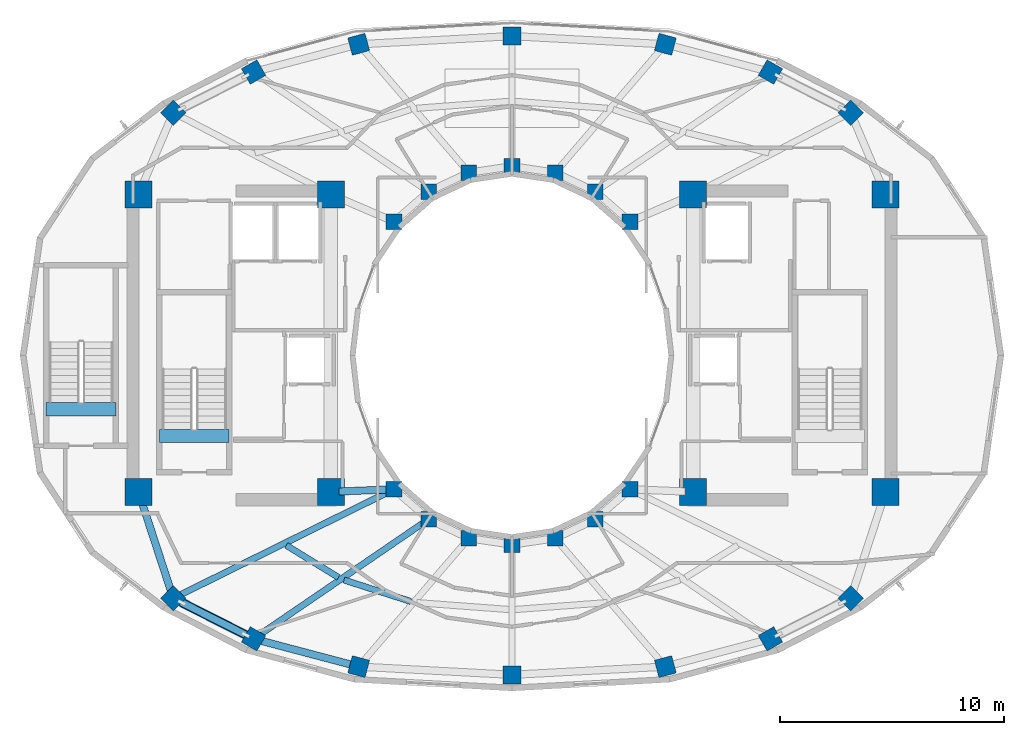
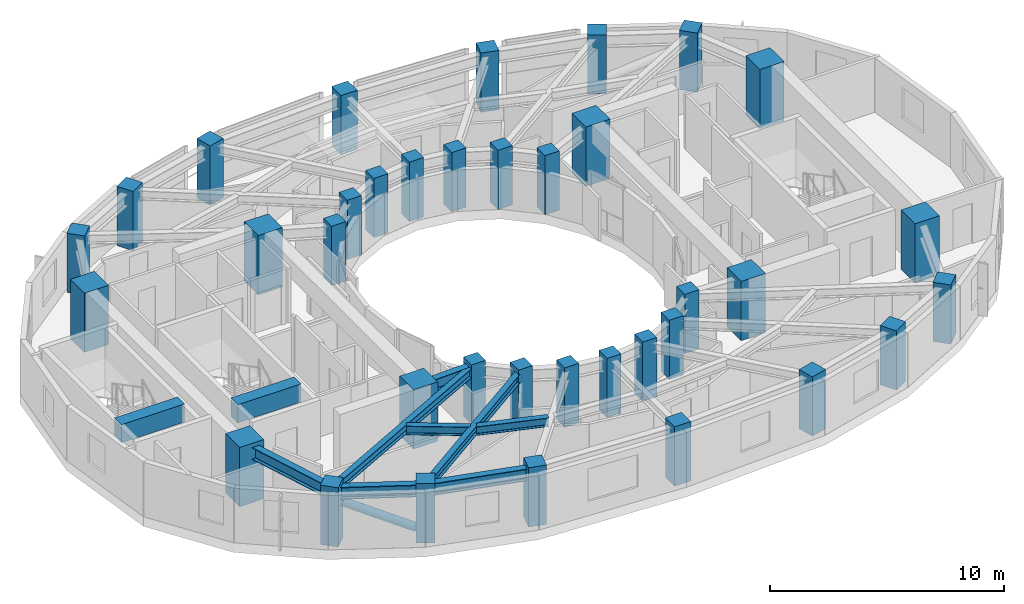
# One storey, part 1 of 19: 36 columns, 10 beams, 1 member.
"""IFC4 building model written with IfcOpenShell, lengths in metres."""

from ifc_helpers import new_model, si_unit, direction, frame, origin, origin_2d, place, context, subcontext, project, spatial, rectangle, hollow_circle, i_section, extrude, material, material_profile, profile_set, type_object, element, save


model = new_model("IFC4")

# Units and contexts
model_context = context("Model", 3, precision=1e-05, world=origin(), true_north=direction((0.0, 1.0)))
body_context = subcontext(model_context, "Body", "Model", "MODEL_VIEW")
ifc_project = project(units=[si_unit("LENGTHUNIT", "METRE"), si_unit("AREAUNIT", "SQUARE_METRE"), si_unit("VOLUMEUNIT", "CUBIC_METRE"), si_unit("PLANEANGLEUNIT", "RADIAN"), si_unit("MASSUNIT", "GRAM", prefix="KILO")], contexts=[model_context])

# Site, building, storey
site_placement = place(None, origin())
site = spatial("IfcSite", under=ifc_project, at=site_placement, CompositionType="ELEMENT")
building_placement = place(site_placement, origin())
building = spatial("IfcBuilding", under=site, at=building_placement, Name="Solvane Sanctuary Tower", CompositionType="ELEMENT")
storey_placement = place(building_placement, frame((0.0, 0.0, 201.60009765625)))
storey = spatial("IfcBuildingStorey", under=building, at=storey_placement, Name="L61", CompositionType="ELEMENT", Elevation=201.60009765625)

# Columns
ifc_material_1 = material(Name="Concrete C50/60", Category="concrete")
ifc_material_profile_1 = material_profile(ifc_material_1, rectangle(XDim=0.699951171875, YDim=0.699951171875, at=origin_2d()), Name="RC700X700")
ifc_profile_set_1 = profile_set([ifc_material_profile_1], Name="Concrete C50/60")
column_type_1 = type_object("IfcColumnType", Name="Column C-RING-Z4 RC700X700", PredefinedType="COLUMN", material=ifc_profile_set_1)
for number, where, z_axis, x_axis, name in (
    (1, (37.27490234375, 28.982177734375, 0.0), (0.0, 0.0, 1.0), (1.0, 0.0, 0.0), "L61 Inner Light-Well Ring Column IC01"),
    (2, (35.72998046875, 30.32666015625, 0.0), (0.0, 0.0, 1.0), (1.0, 0.0, 0.0), "L61 Inner Light-Well Ring Column IC02"),
    (3, (33.930908203125, 31.171630859375, 0.0), (0.0, 0.0, 1.0), (1.0, 0.0, 0.0), "L61 Inner Light-Well Ring Column IC03"),
    (4, (32.0, 31.4599609375, 0.0), (0.0, 0.0, 1.0), (1.0, 0.0, 0.0), "L61 Inner Light-Well Ring Column IC04"),
    (5, (30.069091796875, 31.171630859375, 0.0), (0.0, 0.0, 1.0), (1.0, 0.0, 0.0), "L61 Inner Light-Well Ring Column IC05"),
    (6, (28.27001953125, 30.32666015625, 0.0), (0.0, 0.0, 1.0), (1.0, 0.0, 0.0), "L61 Inner Light-Well Ring Column IC06"),
    (7, (26.72509765625, 28.982177734375, 0.0), (0.0, 0.0, 1.0), (1.0, 0.0, 0.0), "L61 Inner Light-Well Ring Column IC07"),
    (8, (26.72509765625, 17.017822265625, 0.0), (0.0, 0.0, 1.0), (1.0, 0.0, 0.0), "L61 Inner Light-Well Ring Column IC08"),
    (9, (28.27001953125, 15.67333984375, 0.0), (0.0, 0.0, 1.0), (1.0, 0.0, 0.0), "L61 Inner Light-Well Ring Column IC09"),
    (10, (30.069091796875, 14.828369140625, 0.0), (0.0, 0.0, 1.0), (1.0, 0.0, 0.0), "L61 Inner Light-Well Ring Column IC10"),
    (11, (32.0, 14.5400390625, 0.0), (0.0, 0.0, 1.0), (1.0, 0.0, 0.0), "L61 Inner Light-Well Ring Column IC11"),
    (12, (33.930908203125, 14.828369140625, 0.0), (0.0, 0.0, 1.0), (1.0, 0.0, 0.0), "L61 Inner Light-Well Ring Column IC12"),
    (13, (35.72998046875, 15.67333984375, 0.0), (0.0, 0.0, 1.0), (1.0, 0.0, 0.0), "L61 Inner Light-Well Ring Column IC13"),
    (14, (37.27490234375, 17.017822265625, 0.0), (0.0, 0.0, 1.0), (1.0, 0.0, 0.0), "L61 Inner Light-Well Ring Column IC14"),
):
    element("IfcColumn", number, at=place(storey_placement, frame(where, z_axis=z_axis, x_axis=x_axis)), inside=storey, type_object=column_type_1, Name=name, PredefinedType="COLUMN", context=body_context, shape_type="SweptSolid", body=[
        extrude(rectangle(XDim=0.699951171875, YDim=0.699951171875, at=origin_2d()), origin(), (0.0, 0.0, 1.0), 3.099853515625),
    ])
ifc_material_2 = material(Name="Concrete C70/85", Category="concrete")
ifc_material_profile_2 = material_profile(ifc_material_2, rectangle(XDim=1.199951171875, YDim=1.199951171875, at=origin_2d()), Name="RC1200X1200")
ifc_profile_set_2 = profile_set([ifc_material_profile_2], Name="Concrete C70/85")
column_type_2 = type_object("IfcColumnType", Name="Column C-TUBE-Z1 RC1200X1200", PredefinedType="COLUMN", material=ifc_profile_set_2)
for number, where, z_axis, x_axis, name in (
    (15, (15.300048828125, 16.89990234375, 0.0), (0.0, 0.0, 1.0), (1.0, 0.0, 0.0), "L61 Core Corner Column CW1"),
    (16, (23.89990234375, 16.89990234375, 0.0), (0.0, 0.0, 1.0), (1.0, 0.0, 0.0), "L61 Core Corner Column CW2"),
    (17, (23.89990234375, 30.199951171875, 0.0), (0.0, 0.0, 1.0), (1.0, 0.0, 0.0), "L61 Core Corner Column CW3"),
    (18, (15.300048828125, 30.199951171875, 0.0), (0.0, 0.0, 1.0), (1.0, 0.0, 0.0), "L61 Core Corner Column CW4"),
    (19, (40.10009765625, 16.89990234375, 0.0), (0.0, 0.0, 1.0), (1.0, 0.0, 0.0), "L61 Core Corner Column CE1"),
    (20, (48.699951171875, 16.89990234375, 0.0), (0.0, 0.0, 1.0), (1.0, 0.0, 0.0), "L61 Core Corner Column CE2"),
    (21, (48.699951171875, 30.199951171875, 0.0), (0.0, 0.0, 1.0), (1.0, 0.0, 0.0), "L61 Core Corner Column CE3"),
    (22, (40.10009765625, 30.199951171875, 0.0), (0.0, 0.0, 1.0), (1.0, 0.0, 0.0), "L61 Core Corner Column CE4"),
):
    element("IfcColumn", number, at=place(storey_placement, frame(where, z_axis=z_axis, x_axis=x_axis)), inside=storey, type_object=column_type_2, Name=name, PredefinedType="COLUMN", context=body_context, shape_type="SweptSolid", body=[
        extrude(rectangle(XDim=1.199951171875, YDim=1.199951171875, at=origin_2d()), origin(), (0.0, 0.0, 1.0), 3.099853515625),
    ])
ifc_material_profile_3 = material_profile(ifc_material_1, rectangle(XDim=0.800048828125, YDim=0.800048828125, at=origin_2d()), Name="RC800X800")
ifc_profile_set_3 = profile_set([ifc_material_profile_3], Name="Concrete C50/60")
column_type_3 = type_object("IfcColumnType", Name="Column C-TUBE-Z4 RC800X800", PredefinedType="COLUMN", material=ifc_profile_set_3)
for number, where, z_axis, x_axis, name in (
    (23, (47.14501953125, 33.85693359375, 0.0), (0.0, 0.0, 1.0), (0.707106781187, 0.707106781187, 0.0), "L61 Perimeter Tube Column TC01"),
    (24, (43.55517578125, 35.672607421875, 0.0), (0.0, 0.0, 1.0), (0.5, 0.866025403784, 0.0), "L61 Perimeter Tube Column TC02"),
    (25, (38.856201171875, 36.914306640625, 0.0), (0.0, 0.0, 1.0), (0.258819045103, 0.965925826289, 0.0), "L61 Perimeter Tube Column TC03"),
    (26, (32.0, 37.280029296875, 0.0), (0.0, 0.0, 1.0), (0.0, 1.0, 0.0), "L61 Perimeter Tube Column TC04"),
    (27, (25.143798828125, 36.914306640625, 0.0), (0.0, 0.0, 1.0), (-0.258819045103, 0.965925826289, 0.0), "L61 Perimeter Tube Column TC05"),
    (28, (20.44482421875, 35.672607421875, 0.0), (0.0, 0.0, 1.0), (-0.5, 0.866025403784, 0.0), "L61 Perimeter Tube Column TC06"),
    (29, (16.85498046875, 33.85693359375, 0.0), (0.0, 0.0, 1.0), (-0.707106781187, 0.707106781187, 0.0), "L61 Perimeter Tube Column TC07"),
    (30, (16.85498046875, 12.14306640625, 0.0), (0.0, 0.0, 1.0), (-0.707106781187, -0.707106781187, 0.0), "L61 Perimeter Tube Column TC08"),
    (31, (20.44482421875, 10.327392578125, 0.0), (0.0, 0.0, 1.0), (-0.5, -0.866025403784, 0.0), "L61 Perimeter Tube Column TC09"),
    (32, (25.143798828125, 9.085693359375, 0.0), (0.0, 0.0, 1.0), (-0.258819045103, -0.965925826289, 0.0), "L61 Perimeter Tube Column TC10"),
    (33, (32.0, 8.719970703125, 0.0), (0.0, 0.0, 1.0), (0.0, -1.0, 0.0), "L61 Perimeter Tube Column TC11"),
    (34, (38.856201171875, 9.085693359375, 0.0), (0.0, 0.0, 1.0), (0.258819045103, -0.965925826289, 0.0), "L61 Perimeter Tube Column TC12"),
    (35, (43.55517578125, 10.327392578125, 0.0), (0.0, 0.0, 1.0), (0.5, -0.866025403784, 0.0), "L61 Perimeter Tube Column TC13"),
    (36, (47.14501953125, 12.14306640625, 0.0), (0.0, 0.0, 1.0), (0.707106781187, -0.707106781187, 0.0), "L61 Perimeter Tube Column TC14"),
):
    element("IfcColumn", number, at=place(storey_placement, frame(where, z_axis=z_axis, x_axis=x_axis)), inside=storey, type_object=column_type_3, Name=name, PredefinedType="COLUMN", context=body_context, shape_type="SweptSolid", body=[
        extrude(rectangle(XDim=0.800048828125, YDim=0.800048828125, at=origin_2d()), origin(), (0.0, 0.0, 1.0), 3.099853515625),
    ])

# Beams
ifc_material_profile_4 = material_profile(ifc_material_2, rectangle(XDim=0.60009765625, YDim=0.949951171875, at=origin_2d()), Name="RC600X950")
ifc_profile_set_4 = profile_set([ifc_material_profile_4], Name="Concrete C70/85")
beam_type_1 = type_object("IfcBeamType", Name="Beam B-COUPLE RC600X950", PredefinedType="LINTEL", material=ifc_profile_set_4)
for number, where, z_axis, x_axis, name in (
    (37, (16.22998046875, 19.399169921875, 2.625), (1.0, 0.0, 0.0), (0.0, 1.0, 0.0), "L61 ST-1 Stair Floor Landing Trimmer"),
    (38, (11.169921875, 20.59912109375, 2.625), (1.0, 0.0, 0.0), (0.0, 1.0, 0.0), "L61 ST-3 Stair Floor Landing Trimmer"),
):
    element("IfcBeam", number, at=place(storey_placement, frame(where, z_axis=z_axis, x_axis=x_axis)), inside=storey, type_object=beam_type_1, Name=name, PredefinedType="LINTEL", context=body_context, shape_type="SweptSolid", body=[
        extrude(rectangle(XDim=0.60009765625, YDim=0.949951171875, at=origin_2d()), origin(), (0.0, 0.0, 1.0), 3.1201171875),
    ])
ifc_material_3 = material(Name="Steel ASTM A992 Grade 50", Category="steel")
ifc_material_profile_5 = material_profile(ifc_material_3, i_section(OverallWidth=0.282958984375, OverallDepth=0.471923828125, WebThickness=0.013671875, FlangeThickness=0.022216796875, FilletRadius=0.013916015625, at=origin_2d()), Name="W18X97")
ifc_profile_set_5 = profile_set([ifc_material_profile_5], Name="Steel ASTM A992 Grade 50")
beam_type_2 = type_object("IfcBeamType", Name="Beam B-RAD-Z4 W18X97", PredefinedType="JOIST", material=ifc_profile_set_5)
beam_1_placement = place(storey_placement, frame((26.47412109375, 16.893798828125, 2.641845703125), z_axis=(-0.896608256549, -0.442824608946, 0.0), x_axis=(0.442824608946, -0.896608256549, 0.0)))
element("IfcBeam", 39, at=beam_1_placement, inside=storey, type_object=beam_type_2, Name="L61 Radial Composite Floor Beam 08", PredefinedType="JOIST", context=body_context, shape_type="SweptSolid", body=[
    extrude(i_section(OverallWidth=0.282958984375, OverallDepth=0.471923828125, WebThickness=0.013671875, FlangeThickness=0.022216796875, FilletRadius=0.013916015625, at=origin_2d()), origin(), (0.0, 0.0, 1.0), 10.4482421875),
])
beam_2_placement = place(storey_placement, frame((28.038818359375, 15.515380859375, 2.641845703125), z_axis=(-0.825707980649, -0.564097802418, 0.0), x_axis=(0.564097802418, -0.825707980649, 0.0)))
element("IfcBeam", 40, at=beam_2_placement, inside=storey, type_object=beam_type_2, Name="L61 Radial Composite Floor Beam 09", PredefinedType="JOIST", context=body_context, shape_type="SweptSolid", body=[
    extrude(i_section(OverallWidth=0.282958984375, OverallDepth=0.471923828125, WebThickness=0.013671875, FlangeThickness=0.022216796875, FilletRadius=0.013916015625, at=origin_2d()), origin(), (0.0, 0.0, 1.0), 8.9169921875),
])
ifc_material_profile_6 = material_profile(ifc_material_3, i_section(OverallWidth=0.324951171875, OverallDepth=0.615966796875, WebThickness=0.013916015625, FlangeThickness=0.021484375, FilletRadius=0.01611328125, at=origin_2d()), Name="W24X117")
ifc_profile_set_6 = profile_set([ifc_material_profile_6], Name="Steel ASTM A992 Grade 50")
beam_type_3 = type_object("IfcBeamType", Name="Beam B-RING-IN2 W24X117", PredefinedType="BEAM", material=ifc_profile_set_6)
beam_3_placement = place(storey_placement, frame((24.259765625, 16.9150390625, 2.56982421875), z_axis=(0.999129127803, 0.041725124022, 0.0), x_axis=(-0.041725124022, 0.999129127803, 0.0)))
element("IfcBeam", 41, at=beam_3_placement, inside=storey, type_object=beam_type_3, Name="L61 Inner Light-Well Ring Beam CW2-IC08", PredefinedType="BEAM", context=body_context, shape_type="SweptSolid", body=[
    extrude(i_section(OverallWidth=0.324951171875, OverallDepth=0.615966796875, WebThickness=0.013916015625, FlangeThickness=0.021484375, FilletRadius=0.01611328125, at=origin_2d()), origin(), (0.0, 0.0, 1.0), 2.1474609375),
])
ifc_material_profile_7 = material_profile(ifc_material_3, i_section(OverallWidth=0.280029296875, OverallDepth=0.462890625, WebThickness=0.0107421875, FlangeThickness=0.017333984375, FilletRadius=0.013916015625, at=origin_2d()), Name="W18X76")
ifc_profile_set_7 = profile_set([ifc_material_profile_7], Name="Steel ASTM A992 Grade 50")
beam_type_4 = type_object("IfcBeamType", Name="Beam B-SEC-JOIST W18X76", PredefinedType="JOIST", material=ifc_profile_set_7)
beam_4_placement = place(storey_placement, frame((21.90625, 14.509033203125, 2.646484375), z_axis=(0.851639971856, -0.524127234875, 0.0), x_axis=(0.524127234875, 0.851639971856, 0.0)))
element("IfcBeam", 42, at=beam_4_placement, inside=storey, type_object=beam_type_4, Name="L61 Secondary Circumferential Joist 08-09", PredefinedType="JOIST", context=body_context, shape_type="SweptSolid", body=[
    extrude(i_section(OverallWidth=0.280029296875, OverallDepth=0.462890625, WebThickness=0.0107421875, FlangeThickness=0.017333984375, FilletRadius=0.013916015625, at=origin_2d()), origin(), (0.0, 0.0, 1.0), 2.74169921875),
])
beam_5_placement = place(storey_placement, frame((24.487548828125, 12.958740234375, 2.646484375), z_axis=(0.9521021652, -0.305780095856, 0.0), x_axis=(0.305780095856, 0.9521021652, 0.0)))
element("IfcBeam", 43, at=beam_5_placement, inside=storey, type_object=beam_type_4, Name="L61 Secondary Circumferential Joist 09-10", PredefinedType="JOIST", context=body_context, shape_type="SweptSolid", body=[
    extrude(i_section(OverallWidth=0.280029296875, OverallDepth=0.462890625, WebThickness=0.0107421875, FlangeThickness=0.017333984375, FilletRadius=0.013916015625, at=origin_2d()), origin(), (0.0, 0.0, 1.0), 3.139404296875),
])
ifc_material_profile_8 = material_profile(ifc_material_3, i_section(OverallWidth=0.327880859375, OverallDepth=0.6279296875, WebThickness=0.0166015625, FlangeThickness=0.027587890625, FilletRadius=0.01611328125, at=origin_2d()), Name="W24X146")
ifc_profile_set_8 = profile_set([ifc_material_profile_8], Name="Steel ASTM A992 Grade 50")
beam_type_5 = type_object("IfcBeamType", Name="Beam B-SPAND-Z3 W24X146", PredefinedType="SPANDREL", material=ifc_profile_set_8)
beam_6_placement = place(storey_placement, frame((15.386962890625, 16.6337890625, 2.56396484375), z_axis=(0.310735038966, -0.950496573144, 0.0), x_axis=(0.950496573144, 0.310735038966, 0.0)))
element("IfcBeam", 44, at=beam_6_placement, inside=storey, type_object=beam_type_5, Name="L61 Perimeter Spandrel Beam CW1-TC08", PredefinedType="SPANDREL", context=body_context, shape_type="SweptSolid", body=[
    extrude(i_section(OverallWidth=0.327880859375, OverallDepth=0.6279296875, WebThickness=0.0166015625, FlangeThickness=0.027587890625, FilletRadius=0.01611328125, at=origin_2d()), origin(), (0.0, 0.0, 1.0), 4.444580078125),
])
beam_7_placement = place(storey_placement, frame((17.10498046875, 12.0166015625, 2.56396484375), z_axis=(0.892344822899, -0.451354314308, 0.0), x_axis=(0.451354314308, 0.892344822899, 0.0)))
element("IfcBeam", 45, at=beam_7_placement, inside=storey, type_object=beam_type_5, Name="L61 Perimeter Spandrel Beam TC08-TC09", PredefinedType="SPANDREL", context=body_context, shape_type="SweptSolid", body=[
    extrude(i_section(OverallWidth=0.327880859375, OverallDepth=0.6279296875, WebThickness=0.0166015625, FlangeThickness=0.027587890625, FilletRadius=0.01611328125, at=origin_2d()), origin(), (0.0, 0.0, 1.0), 3.462890625),
])
beam_8_placement = place(storey_placement, frame((20.715576171875, 10.255859375, 2.56396484375), z_axis=(0.966816659466, -0.255471225343, 0.0), x_axis=(0.255471225343, 0.966816659466, 0.0)))
element("IfcBeam", 46, at=beam_8_placement, inside=storey, type_object=beam_type_5, Name="L61 Perimeter Spandrel Beam TC09-TC10", PredefinedType="SPANDREL", context=body_context, shape_type="SweptSolid", body=[
    extrude(i_section(OverallWidth=0.327880859375, OverallDepth=0.6279296875, WebThickness=0.0166015625, FlangeThickness=0.027587890625, FilletRadius=0.01611328125, at=origin_2d()), origin(), (0.0, 0.0, 1.0), 4.300537109375),
])

# Member
ifc_material_profile_9 = material_profile(ifc_material_3, hollow_circle(Radius=0.202880859375, WallThickness=0.012451171875, at=origin_2d()), Name="CHS406X12.5")
ifc_profile_set_9 = profile_set([ifc_material_profile_9], Name="Steel ASTM A992 Grade 50")
member_type = type_object("IfcMemberType", Name="Member M-TUBE-Z3 CHS406X12.5", PredefinedType="BRACE", material=ifc_profile_set_9)
member_placement = place(storey_placement, frame((20.079345703125, 10.51220703125, 0.5703125), z_axis=(-0.809168494131, 0.409313786141, 0.4215549461), x_axis=(-0.451381225256, -0.892331210642, 0.0)))
element("IfcMember", 47, at=member_placement, inside=storey, type_object=member_type, Name="L61 Perimeter Braced-Tube Diagonal SW", PredefinedType="BRACE", context=body_context, shape_type="SweptSolid", body=[
    extrude(hollow_circle(Radius=0.202880859375, WallThickness=0.012451171875, at=origin_2d()), origin(), (0.0, 0.0, 1.0), 3.51025390625),
])

save(model, "model.ifc")
